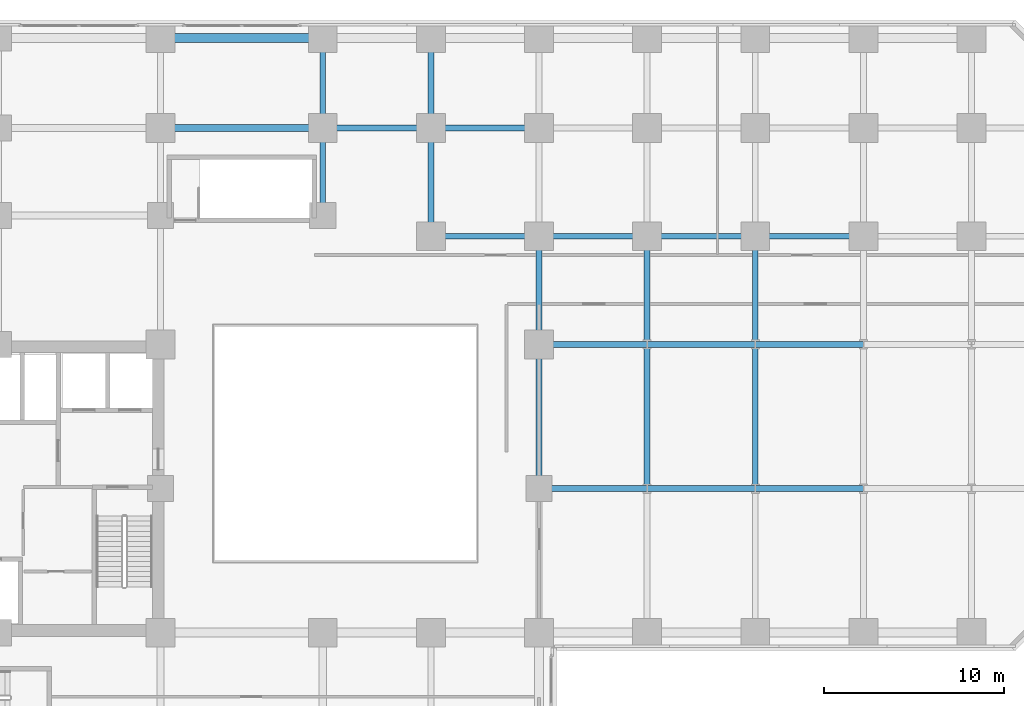
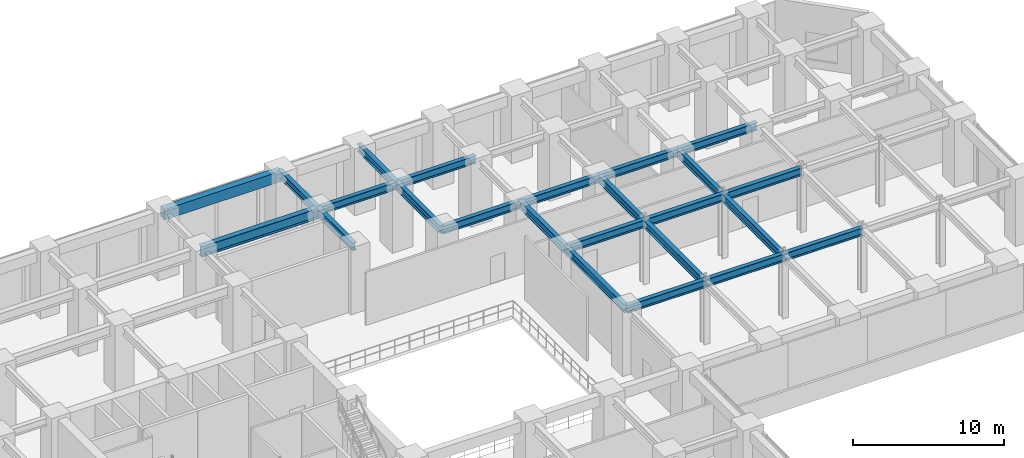
# One storey, part 19 of 33: 24 beams.
"""IFC4 building model written with IfcOpenShell, lengths in metres."""

from ifc_helpers import new_model, si_unit, direction, frame, origin, origin_2d, place, context, subcontext, project, spatial, rectangle, i_section, extrude, source, transform, mapped, material, material_profile, profile_set, type_object, element, save


model = new_model("IFC4")

# Units and contexts
model_context = context("Model", 3, precision=1e-05, world=origin(), true_north=direction((0.0, 1.0)))
body_context = subcontext(model_context, "Body", "Model", "MODEL_VIEW")
ifc_project = project(units=[si_unit("LENGTHUNIT", "METRE"), si_unit("AREAUNIT", "SQUARE_METRE"), si_unit("VOLUMEUNIT", "CUBIC_METRE"), si_unit("PLANEANGLEUNIT", "RADIAN"), si_unit("MASSUNIT", "GRAM", prefix="KILO")], contexts=[model_context])

# Site, building, storey
site_placement = place(None, origin())
site = spatial("IfcSite", under=ifc_project, at=site_placement, CompositionType="ELEMENT")
building_placement = place(site_placement, origin())
building = spatial("IfcBuilding", under=site, at=building_placement, Name="Torre Montelarca", CompositionType="ELEMENT")
storey_placement = place(building_placement, frame((0.0, 0.0, 12.0)))
storey = spatial("IfcBuildingStorey", under=building, at=storey_placement, Name="L03", CompositionType="ELEMENT", Elevation=12.0)

# Beams
ifc_material_1 = material(Name="Concrete C55/67", Category="concrete")
ifc_material_profile_1 = material_profile(ifc_material_1, rectangle(XDim=0.5, YDim=0.85009765625, at=origin_2d()), Name="RCB500X850", Category="concrete")
ifc_profile_set_1 = profile_set([ifc_material_profile_1], Name="Concrete C55/67")
beam_type_1 = type_object("IfcBeamType", Name="BM-SP-RC850-EXT", PredefinedType="SPANDREL", material=ifc_profile_set_1)
shared_shape_1 = source(origin(), body_context, "Body", "SweptSolid", [
    extrude(rectangle(XDim=0.5, YDim=0.85009765625, at=origin_2d()), origin(), (0.0, 0.0, 1.0), 9.0),
])
beam_1_placement = place(storey_placement, frame((27.0, 57.0, 4.715087890625), z_axis=(1.0, 0.0, 0.0), x_axis=(0.0, 1.0, 0.0)))
element("IfcBeam", 1, at=beam_1_placement, inside=storey, type_object=beam_type_1, Name="L03 Grid Girder X 27.0-36.0 at Y=57.0", PredefinedType="SPANDREL", context=body_context, shape_type="MappedRepresentation", body=[
    mapped(shared_shape_1, transform((0.0, 0.0, 0.0), scale=1.0)),
])
ifc_material_2 = material(Name="Steel ASTM A992 Grade 50", Category="steel")
ifc_material_profile_2 = material_profile(ifc_material_2, i_section(OverallWidth=0.39990234375, OverallDepth=0.85498046875, WebThickness=0.018310546875, FlangeThickness=0.029296875, FilletRadius=0.02001953125, at=origin_2d()), Name="W840X299", Category="steel")
ifc_profile_set_2 = profile_set([ifc_material_profile_2], Name="Steel ASTM A992 Grade 50")
beam_type_2 = type_object("IfcBeamType", Name="BM-G-W840", PredefinedType="BEAM", material=ifc_profile_set_2)
shared_shape_2 = source(origin(), body_context, "Body", "SweptSolid", [
    extrude(i_section(OverallWidth=0.39990234375, OverallDepth=0.85498046875, WebThickness=0.018310546875, FlangeThickness=0.029296875, FilletRadius=0.02001953125, at=origin_2d()), origin(), (0.0, 0.0, 1.0), 9.0),
])
beam_2_placement = place(storey_placement, frame((27.0, 52.0, 4.7119140625), z_axis=(1.0, 0.0, 0.0), x_axis=(0.0, 1.0, 0.0)))
element("IfcBeam", 2, at=beam_2_placement, inside=storey, type_object=beam_type_2, Name="L03 Grid Girder X 27.0-36.0 at Y=52.0", PredefinedType="BEAM", context=body_context, shape_type="MappedRepresentation", body=[
    mapped(shared_shape_2, transform((0.0, 0.0, 0.0), scale=1.0)),
])
ifc_material_profile_3 = material_profile(ifc_material_2, i_section(OverallWidth=0.326904296875, OverallDepth=0.6220703125, WebThickness=0.015380859375, FlangeThickness=0.0244140625, FilletRadius=0.014892578125, at=origin_2d()), Name="W610X195", Category="steel")
ifc_profile_set_3 = profile_set([ifc_material_profile_3], Name="Steel ASTM A992 Grade 50")
beam_type_3 = type_object("IfcBeamType", Name="BM-G-W610H", PredefinedType="BEAM", material=ifc_profile_set_3)
shared_shape_3 = source(origin(), body_context, "Body", "SweptSolid", [
    extrude(i_section(OverallWidth=0.326904296875, OverallDepth=0.6220703125, WebThickness=0.015380859375, FlangeThickness=0.0244140625, FilletRadius=0.014892578125, at=origin_2d()), origin(), (0.0, 0.0, 1.0), 6.0),
])
for number, where, z_axis, x_axis, name in (
    (3, (48.0, 32.0, 4.8291015625), (1.0, 0.0, 0.0), (0.0, 1.0, 0.0), "L03 Grid Girder X 48.0-54.0 at Y=32.0"),
    (4, (54.0, 32.0, 4.8291015625), (1.0, 0.0, 0.0), (0.0, 1.0, 0.0), "L03 Grid Girder X 54.0-60.0 at Y=32.0"),
    (5, (60.0, 32.0, 4.8291015625), (1.0, 0.0, 0.0), (0.0, 1.0, 0.0), "L03 Grid Girder X 60.0-66.0 at Y=32.0"),
    (6, (48.0, 40.0, 4.8291015625), (1.0, 0.0, 0.0), (0.0, 1.0, 0.0), "L03 Grid Girder X 48.0-54.0 at Y=40.0"),
    (7, (54.0, 40.0, 4.8291015625), (1.0, 0.0, 0.0), (0.0, 1.0, 0.0), "L03 Grid Girder X 54.0-60.0 at Y=40.0"),
    (8, (60.0, 40.0, 4.8291015625), (1.0, 0.0, 0.0), (0.0, 1.0, 0.0), "L03 Grid Girder X 60.0-66.0 at Y=40.0"),
    (9, (42.0, 46.0, 4.8291015625), (1.0, 0.0, 0.0), (0.0, 1.0, 0.0), "L03 Grid Girder X 42.0-48.0 at Y=46.0"),
    (10, (48.0, 46.0, 4.8291015625), (1.0, 0.0, 0.0), (0.0, 1.0, 0.0), "L03 Grid Girder X 48.0-54.0 at Y=46.0"),
    (11, (54.0, 46.0, 4.8291015625), (1.0, 0.0, 0.0), (0.0, 1.0, 0.0), "L03 Grid Girder X 54.0-60.0 at Y=46.0"),
    (12, (60.0, 46.0, 4.8291015625), (1.0, 0.0, 0.0), (0.0, 1.0, 0.0), "L03 Grid Girder X 60.0-66.0 at Y=46.0"),
    (13, (36.0, 52.0, 4.8291015625), (1.0, 0.0, 0.0), (0.0, 1.0, 0.0), "L03 Grid Girder X 36.0-42.0 at Y=52.0"),
    (14, (42.0, 52.0, 4.8291015625), (1.0, 0.0, 0.0), (0.0, 1.0, 0.0), "L03 Grid Girder X 42.0-48.0 at Y=52.0"),
    (15, (42.0, 46.0, 4.8291015625), (0.0, 1.0, 0.0), (-1.0, 0.0, 0.0), "L03 Grid Girder Y 46.0-52.0 at X=42.0"),
    (16, (48.0, 40.0, 4.8291015625), (0.0, 1.0, 0.0), (-1.0, 0.0, 0.0), "L03 Grid Girder Y 40.0-46.0 at X=48.0"),
    (17, (54.0, 40.0, 4.8291015625), (0.0, 1.0, 0.0), (-1.0, 0.0, 0.0), "L03 Grid Girder Y 40.0-46.0 at X=54.0"),
    (18, (60.0, 40.0, 4.8291015625), (0.0, 1.0, 0.0), (-1.0, 0.0, 0.0), "L03 Grid Girder Y 40.0-46.0 at X=60.0"),
):
    element("IfcBeam", number, at=place(storey_placement, frame(where, z_axis=z_axis, x_axis=x_axis)), inside=storey, type_object=beam_type_3, Name=name, PredefinedType="BEAM", context=body_context, shape_type="MappedRepresentation", body=[
        mapped(shared_shape_3, transform((0.0, 0.0, 0.0), scale=1.0)),
    ])
shared_shape_4 = source(origin(), body_context, "Body", "SweptSolid", [
    extrude(i_section(OverallWidth=0.326904296875, OverallDepth=0.6220703125, WebThickness=0.015380859375, FlangeThickness=0.0244140625, FilletRadius=0.014892578125, at=origin_2d()), origin(), (0.0, 0.0, 1.0), 8.0),
])
for number, where, z_axis, x_axis, name in (
    (19, (48.0, 32.0, 4.8291015625), (0.0, 1.0, 0.0), (-1.0, 0.0, 0.0), "L03 Grid Girder Y 32.0-40.0 at X=48.0"),
    (20, (54.0, 32.0, 4.8291015625), (0.0, 1.0, 0.0), (-1.0, 0.0, 0.0), "L03 Grid Girder Y 32.0-40.0 at X=54.0"),
    (21, (60.0, 32.0, 4.8291015625), (0.0, 1.0, 0.0), (-1.0, 0.0, 0.0), "L03 Grid Girder Y 32.0-40.0 at X=60.0"),
):
    element("IfcBeam", number, at=place(storey_placement, frame(where, z_axis=z_axis, x_axis=x_axis)), inside=storey, type_object=beam_type_3, Name=name, PredefinedType="BEAM", context=body_context, shape_type="MappedRepresentation", body=[
        mapped(shared_shape_4, transform((0.0, 0.0, 0.0), scale=1.0)),
    ])
shared_shape_5 = source(origin(), body_context, "Body", "SweptSolid", [
    extrude(i_section(OverallWidth=0.326904296875, OverallDepth=0.6220703125, WebThickness=0.015380859375, FlangeThickness=0.0244140625, FilletRadius=0.014892578125, at=origin_2d()), origin(), (0.0, 0.0, 1.0), 4.85009765625),
])
beam_3_placement = place(storey_placement, frame((36.0, 47.14990234375, 4.8291015625), z_axis=(0.0, 1.0, 0.0), x_axis=(-1.0, 0.0, 0.0)))
element("IfcBeam", 22, at=beam_3_placement, inside=storey, type_object=beam_type_3, Name="L03 Grid Girder Y 47.1-52.0 at X=36.0", PredefinedType="BEAM", context=body_context, shape_type="MappedRepresentation", body=[
    mapped(shared_shape_5, transform((0.0, 0.0, 0.0), scale=1.0)),
])
shared_shape_6 = source(origin(), body_context, "Body", "SweptSolid", [
    extrude(i_section(OverallWidth=0.326904296875, OverallDepth=0.6220703125, WebThickness=0.015380859375, FlangeThickness=0.0244140625, FilletRadius=0.014892578125, at=origin_2d()), origin(), (0.0, 0.0, 1.0), 5.0),
])
for number, where, z_axis, x_axis, name in (
    (23, (36.0, 52.0, 4.8291015625), (0.0, 1.0, 0.0), (-1.0, 0.0, 0.0), "L03 Grid Girder Y 52.0-57.0 at X=36.0"),
    (24, (42.0, 52.0, 4.8291015625), (0.0, 1.0, 0.0), (-1.0, 0.0, 0.0), "L03 Grid Girder Y 52.0-57.0 at X=42.0"),
):
    element("IfcBeam", number, at=place(storey_placement, frame(where, z_axis=z_axis, x_axis=x_axis)), inside=storey, type_object=beam_type_3, Name=name, PredefinedType="BEAM", context=body_context, shape_type="MappedRepresentation", body=[
        mapped(shared_shape_6, transform((0.0, 0.0, 0.0), scale=1.0)),
    ])

save(model, "model.ifc")
